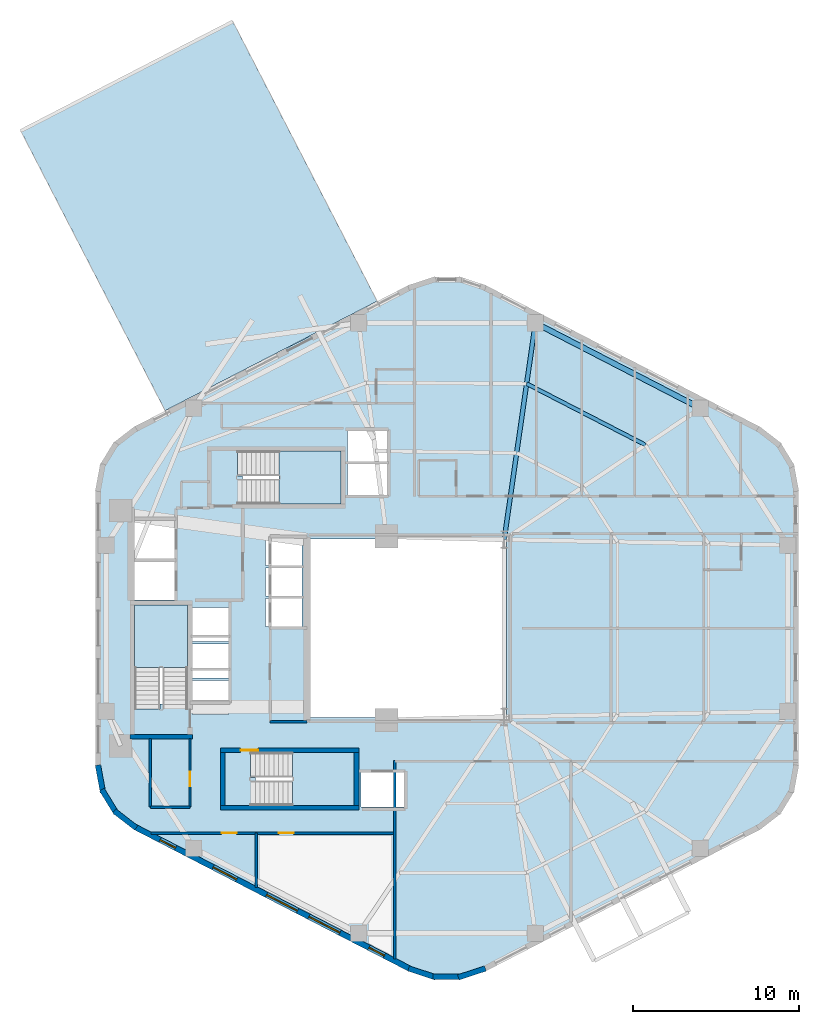
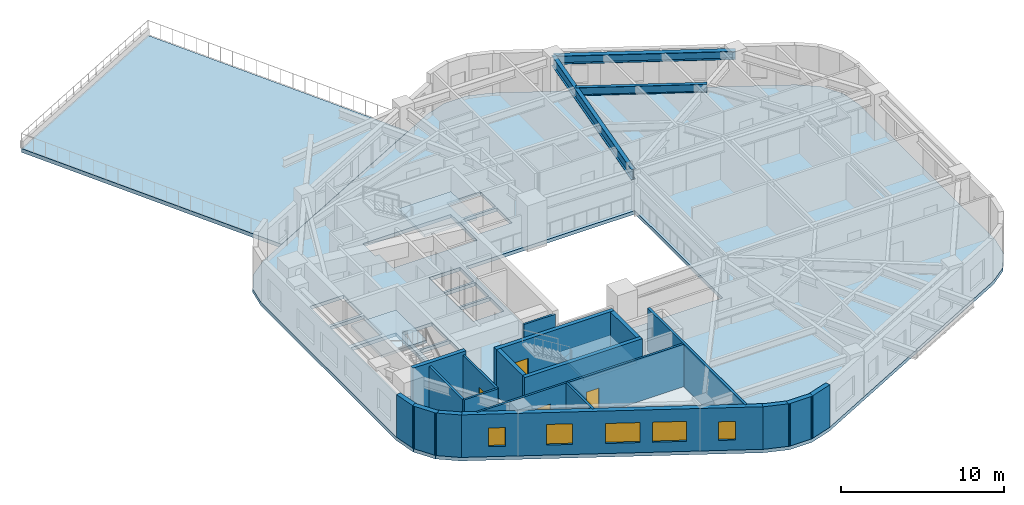
# One storey, part 2 of 8: 19 walls, 5 slabs, 5 windows, 4 doors, 3 beams, 9 openings, 4 elements without a shape of their own.
"""IFC4 building model written with IfcOpenShell, lengths in metres."""

from ifc_helpers import new_model, si_unit, direction, frame, frame_2d, origin, origin_2d, place, context, subcontext, project, spatial, polyline, rectangle, i_section, outline, extrude, material, layer, layer_set, material_profile, profile_set, type_object, element, fill, aggregate, save


model = new_model("IFC4")

# Units and contexts
model_context = context("Model", 3, precision=1e-05, world=origin(), true_north=direction((0.0, 1.0)))
body_context = subcontext(model_context, "Body", "Model", "MODEL_VIEW")
ifc_project = project(units=[si_unit("LENGTHUNIT", "METRE"), si_unit("AREAUNIT", "SQUARE_METRE"), si_unit("VOLUMEUNIT", "CUBIC_METRE"), si_unit("PLANEANGLEUNIT", "RADIAN"), si_unit("MASSUNIT", "GRAM", prefix="KILO"), si_unit("THERMODYNAMICTEMPERATUREUNIT", "KELVIN"), si_unit("POWERUNIT", "WATT")], contexts=[model_context])

# Site, building, storey
site_placement = place(None, origin())
site = spatial("IfcSite", under=ifc_project, at=site_placement, CompositionType="ELEMENT")
building_placement = place(site_placement, origin())
building = spatial("IfcBuilding", under=site, at=building_placement, Name="Skarre Station Tower", CompositionType="ELEMENT")
storey_placement = place(building_placement, frame((0.0, 0.0, 149.85009765625)))
storey = spatial("IfcBuildingStorey", under=building, at=storey_placement, Name="L40", CompositionType="ELEMENT", Elevation=149.85009765625)

# Beams
ifc_material_1 = material(Name="Steel ASTM A992 Grade 50", Category="steel")
ifc_material_profile_1 = material_profile(ifc_material_1, i_section(OverallWidth=0.26806640625, OverallDepth=0.77001953125, WebThickness=0.01611328125, FlangeThickness=0.02490234375, at=origin_2d()), Name="Steel ASTM A992 Grade 50")
ifc_profile_set_1 = profile_set([ifc_material_profile_1], Name="Steel ASTM A992 Grade 50")
beam_type_1 = type_object("IfcBeamType", Name="Steel Beam W30X132", PredefinedType="BEAM", material=ifc_profile_set_1)
beam_1_placement = place(storey_placement, frame((39.449951171875, 29.35009765625, 2.804931640625), z_axis=(0.142480121776, 0.989797663616, 0.0), x_axis=(-0.989797663616, 0.142480121776, 0.0)))
element("IfcBeam", 1, at=beam_1_placement, inside=storey, type_object=beam_type_1, Name="L40 Radial Floor Girder F0C2", PredefinedType="BEAM", context=body_context, shape_type="SweptSolid", body=[
    extrude(i_section(OverallWidth=0.26806640625, OverallDepth=0.77001953125, WebThickness=0.01611328125, FlangeThickness=0.02490234375, at=origin_2d()), origin(), (0.0, 0.0, 1.0), 13.20263671875),
])
ifc_material_profile_2 = material_profile(ifc_material_1, i_section(OverallWidth=0.22802734375, OverallDepth=0.60791015625, WebThickness=0.010986328125, FlangeThickness=0.01708984375, at=origin_2d()), Name="Steel ASTM A992 Grade 50")
ifc_profile_set_2 = profile_set([ifc_material_profile_2], Name="Steel ASTM A992 Grade 50")
beam_type_2 = type_object("IfcBeamType", Name="Steel Joist W24X76", PredefinedType="JOIST", material=ifc_profile_set_2)
beam_2_placement = place(storey_placement, frame((47.97607421875, 35.056884765625, 2.885986328125), z_axis=(-0.888599977053, 0.458682985057, 0.0), x_axis=(-0.458682985057, -0.888599977053, 0.0)))
element("IfcBeam", 2, at=beam_2_placement, inside=storey, type_object=beam_type_2, Name="L40 Secondary Floor Joist 2", PredefinedType="JOIST", context=body_context, shape_type="SweptSolid", body=[
    extrude(i_section(OverallWidth=0.22802734375, OverallDepth=0.60791015625, WebThickness=0.010986328125, FlangeThickness=0.01708984375, at=origin_2d()), origin(), (0.0, 0.0, 1.0), 8.0712890625),
])
ifc_material_profile_3 = material_profile(ifc_material_1, i_section(OverallWidth=0.327880859375, OverallDepth=0.6279296875, WebThickness=0.01708984375, FlangeThickness=0.028076171875, at=origin_2d()), Name="Steel ASTM A992 Grade 50")
ifc_profile_set_3 = profile_set([ifc_material_profile_3], Name="Steel ASTM A992 Grade 50")
beam_type_3 = type_object("IfcBeamType", Name="Steel Spandrel W24X146", PredefinedType="SPANDREL", material=ifc_profile_set_3)
beam_3_placement = place(storey_placement, frame((51.291015625, 37.277099609375, 2.8759765625), z_axis=(-0.888611779493, 0.458660119639, 0.0), x_axis=(-0.458660119639, -0.888611779493, 0.0)))
element("IfcBeam", 3, at=beam_3_placement, inside=storey, type_object=beam_type_3, Name="L40 Facet Spandrel Beam 1", PredefinedType="SPANDREL", context=body_context, shape_type="SweptSolid", body=[
    extrude(i_section(OverallWidth=0.327880859375, OverallDepth=0.6279296875, WebThickness=0.01708984375, FlangeThickness=0.028076171875, at=origin_2d()), origin(), (0.0, 0.0, 1.0), 11.20849609375),
])

# Roof, slab
ifc_material_2 = material(Name="Precast concrete C40/50", Category="concrete")
ifc_layer_1 = layer(ifc_material_2, 0.320068359375, Name="Precast concrete C40/50")
ifc_layer_set_1 = layer_set([ifc_layer_1], Name="Precast concrete C40/50")
roof_type = type_object("IfcRoofType", Name="Insulated Standing-Seam & Inverted Ballasted Roof Assembly", PredefinedType="FLAT_ROOF", material=ifc_layer_set_1)
roof_placement = place(storey_placement, origin())
roof = element("IfcRoof", 4, at=roof_placement, inside=storey, type_object=roof_type, Name="L40 SB-3 Sky-Bar Roof Assembly", PredefinedType="FLAT_ROOF")
ifc_material_3 = material(Name="Concrete C50/60", Category="concrete")
ifc_layer_2 = layer(ifc_material_3, 0.284912109375, Name="Concrete C50/60")
ifc_layer_set_2 = layer_set([ifc_layer_2], Name="Concrete C50/60")
slab_type_1 = type_object("IfcSlabType", Name="Occupied Terrace Roof Deck Slab 285", PredefinedType="ROOF", material=ifc_layer_set_2)
slab_1_placement = place(storey_placement, frame((0.0, 0.0, -0.28515625)))
slab_1 = element("IfcSlab", 5, at=slab_1_placement, type_object=slab_type_1, Name="L40 SB-3 Sky-Bar Roof Terrace Deck", PredefinedType="ROOF", context=body_context, shape_type="SweptSolid", body=[
    extrude(outline(polyline([(18.989013671875, 37.132080078125), (31.783935546875, 43.736083984375), (23.074951171875, 60.611083984375), (10.279052734375, 54.006103515625), (18.989013671875, 37.132080078125)])), origin(), (0.0, 0.0, 1.0), 0.28515625),
])
aggregate(roof, [slab_1])

# Stair, slab
ifc_material_4 = material(Name="Concrete C40/50", Category="concrete")
stair_type_1 = type_object("IfcStairType", Name="Reinforced Concrete Exit Stair ST-1", PredefinedType="HALF_TURN_STAIR", material=ifc_material_4)
stair_1_placement = place(storey_placement, origin())
stair_1 = element("IfcStair", 6, at=stair_1_placement, inside=storey, type_object=stair_type_1, Name="L40 Core Exit Stair ST-1", PredefinedType="HALF_TURN_STAIR")
ifc_layer_3 = layer(ifc_material_4, 0.219970703125, Name="Concrete C40/50")
ifc_layer_set_3 = layer_set([ifc_layer_3], Name="Concrete C40/50")
slab_type_2 = type_object("IfcSlabType", Name="Reinforced Concrete Stair & Ramp Landing 220", PredefinedType="LANDING", material=ifc_layer_set_3)
slab_2_placement = place(storey_placement, frame((0.0, 0.0, 1.52490234375)))
slab_2 = element("IfcSlab", 7, at=slab_2_placement, type_object=slab_type_2, Name="ST-1 landing 1", PredefinedType="LANDING", context=body_context, shape_type="SweptSolid", body=[
    extrude(outline(polyline([(20.35009765625, 21.639892578125), (20.35009765625, 25.39990234375), (17.14990234375, 25.39990234375), (17.14990234375, 21.639892578125), (20.35009765625, 21.639892578125)])), origin(), (0.0, 0.0, 1.0), 0.199951171875),
])
aggregate(stair_1, [slab_2])

stair_type_2 = type_object("IfcStairType", Name="Reinforced Concrete Exit Stair ST-2", PredefinedType="HALF_TURN_STAIR", material=ifc_material_4)
stair_2_placement = place(storey_placement, origin())
stair_2 = element("IfcStair", 8, at=stair_2_placement, inside=storey, type_object=stair_type_2, Name="L40 Core Exit Stair ST-2", PredefinedType="HALF_TURN_STAIR")
slab_3_placement = place(storey_placement, frame((0.0, 0.0, 1.52490234375)))
slab_3 = element("IfcSlab", 9, at=slab_3_placement, type_object=slab_type_2, Name="ST-2 landing 1", PredefinedType="LANDING", context=body_context, shape_type="SweptSolid", body=[
    extrude(outline(polyline([(26.669921875, 13.300048828125), (30.39990234375, 13.300048828125), (30.39990234375, 16.5), (26.669921875, 16.5), (26.669921875, 13.300048828125)])), origin(), (0.0, 0.0, 1.0), 0.199951171875),
])
aggregate(stair_2, [slab_3])

stair_type_3 = type_object("IfcStairType", Name="Reinforced Concrete Exit Stair ST-3", PredefinedType="HALF_TURN_STAIR", material=ifc_material_4)
stair_3_placement = place(storey_placement, origin())
stair_3 = element("IfcStair", 10, at=stair_3_placement, inside=storey, type_object=stair_type_3, Name="L40 Core Exit Stair ST-3", PredefinedType="HALF_TURN_STAIR")
slab_4_placement = place(storey_placement, frame((0.0, 0.0, 1.52490234375)))
slab_4 = element("IfcSlab", 11, at=slab_4_placement, type_object=slab_type_2, Name="ST-3 landing 1", PredefinedType="LANDING", context=body_context, shape_type="SweptSolid", body=[
    extrude(outline(polyline([(25.8701171875, 31.5), (29.60009765625, 31.5), (29.60009765625, 34.699951171875), (25.8701171875, 34.699951171875), (25.8701171875, 31.5)])), origin(), (0.0, 0.0, 1.0), 0.199951171875),
])
aggregate(stair_3, [slab_4])

# Slab
ifc_layer_4 = layer(ifc_material_3, 0.260009765625, Name="Concrete C50/60")
ifc_layer_set_4 = layer_set([ifc_layer_4], Name="Concrete C50/60")
slab_type_3 = type_object("IfcSlabType", Name="Tower Typical Composite Floor Slab 260", PredefinedType="FLOOR", material=ifc_layer_set_4)
slab_5_placement = place(storey_placement, frame((0.0, 0.0, -0.260009765625)))
element("IfcSlab", 12, at=slab_5_placement, inside=storey, type_object=slab_type_3, Name="L40 Zone 2 Structural Floor Slab", PredefinedType="FLOOR", context=body_context, shape_type="SweptSolid", body=[
    extrude(outline(polyline([(57.218017578125, 32.35205078125), (56.93701171875, 33.873046875), (56.132080078125, 35.194091796875), (54.908935546875, 36.14111328125), (38.30908203125, 44.708984375), (36.7958984375, 45.2060546875), (35.2041015625, 45.2060546875), (33.69091796875, 44.708984375), (17.091064453125, 36.14111328125), (15.867919921875, 35.194091796875), (15.06298828125, 33.873046875), (14.781982421875, 32.35205078125), (14.781982421875, 15.64794921875), (15.06298828125, 14.126953125), (15.867919921875, 12.805908203125), (17.091064453125, 11.85888671875), (33.69091796875, 3.291015625), (35.2041015625, 2.7939453125), (36.7958984375, 2.7939453125), (38.30908203125, 3.291015625), (54.908935546875, 11.85888671875), (56.132080078125, 12.805908203125), (56.93701171875, 14.126953125), (57.218017578125, 15.64794921875), (57.218017578125, 32.35205078125)]), holes=[polyline([(18.669921875, 19.419921875), (18.669921875, 19.123046875), (17.14990234375, 19.123046875), (17.14990234375, 25.39990234375), (20.35009765625, 25.39990234375), (20.35009765625, 19.419921875), (18.669921875, 19.419921875)]), polyline([(24.449951171875, 14.97998046875), (24.153076171875, 14.97998046875), (24.153076171875, 16.5), (30.39990234375, 16.5), (30.39990234375, 13.300048828125), (24.449951171875, 13.300048828125), (24.449951171875, 14.97998046875)]), polyline([(23.64990234375, 33.179931640625), (23.35302734375, 33.179931640625), (23.35302734375, 34.699951171875), (29.60009765625, 34.699951171875), (29.60009765625, 31.5), (23.64990234375, 31.5), (23.64990234375, 33.179931640625)]), polyline([(17.14990234375, 28.0), (19.550048828125, 28.0), (19.550048828125, 25.699951171875), (17.14990234375, 25.699951171875), (17.14990234375, 28.0)]), polyline([(17.14990234375, 30.5), (19.550048828125, 30.5), (19.550048828125, 28.199951171875), (17.14990234375, 28.199951171875), (17.14990234375, 30.5)]), polyline([(30.800048828125, 15.300048828125), (33.39990234375, 15.300048828125), (33.39990234375, 13.199951171875), (30.800048828125, 13.199951171875), (30.800048828125, 15.300048828125)]), polyline([(25.050048828125, 25.800048828125), (27.25, 25.800048828125), (27.25, 24.10009765625), (25.050048828125, 24.10009765625), (25.050048828125, 25.800048828125)]), polyline([(25.050048828125, 27.64990234375), (27.25, 27.64990234375), (27.25, 25.949951171875), (25.050048828125, 25.949951171875), (25.050048828125, 27.64990234375)]), polyline([(25.050048828125, 29.5), (27.25, 29.5), (27.25, 27.800048828125), (25.050048828125, 27.800048828125), (25.050048828125, 29.5)]), polyline([(20.64990234375, 20.85009765625), (22.800048828125, 20.85009765625), (22.800048828125, 18.800048828125), (20.64990234375, 18.800048828125), (20.64990234375, 20.85009765625)]), polyline([(20.64990234375, 23.050048828125), (22.800048828125, 23.050048828125), (22.800048828125, 21.0), (20.64990234375, 21.0), (20.64990234375, 23.050048828125)]), polyline([(20.64990234375, 25.25), (22.800048828125, 25.25), (22.800048828125, 23.199951171875), (20.64990234375, 23.199951171875), (20.64990234375, 25.25)]), polyline([(30.0, 33.89990234375), (32.39990234375, 33.89990234375), (32.39990234375, 32.050048828125), (30.0, 32.050048828125), (30.0, 33.89990234375)]), polyline([(30.0, 35.89990234375), (32.39990234375, 35.89990234375), (32.39990234375, 34.050048828125), (30.0, 34.050048828125), (30.0, 35.89990234375)]), polyline([(27.60009765625, 29.39990234375), (39.60009765625, 29.39990234375), (39.60009765625, 18.60009765625), (27.60009765625, 18.60009765625), (27.60009765625, 29.39990234375)])]), origin(), (0.0, 0.0, 1.0), 0.260009765625),
])

# Walls
ifc_material_5 = material(Name="Acoustic Steel-Stud Gypsum Partition", Category="steel")
ifc_layer_5 = layer(ifc_material_5, 0.14990234375, Name="Acoustic Steel-Stud Gypsum Partition")
ifc_layer_set_5 = layer_set([ifc_layer_5], Name="Acoustic Steel-Stud Gypsum Partition")
wall_type_1 = type_object("IfcWallType", Name="Fire-Rated Corridor Acoustic Partition 150", PredefinedType="PARTITIONING", material=ifc_layer_set_5)
wall_1_placement = place(storey_placement, frame((25.320068359375, 18.360107421875, 0.0), z_axis=(0.0, 0.0, 1.0), x_axis=(1.0, 0.0, 0.0)))
element("IfcWall", 13, at=wall_1_placement, inside=storey, type_object=wall_type_1, Name="L40 Interior Partition WL-PT-L40-RC1-S", PredefinedType="PARTITIONING", context=body_context, shape_type="SweptSolid", body=[
    extrude(rectangle(XDim=2.22998046875, YDim=0.14990234375, at=frame_2d((1.114990234375, 0.0))), origin(), (0.0, 0.0, 1.0), 3.18994140625),
])
wall_2_placement = place(storey_placement, frame((18.10009765625, 17.340087890625, 0.0), z_axis=(0.0, 0.0, 1.0), x_axis=(0.0, -1.0, 0.0)))
element("IfcWall", 14, at=wall_2_placement, inside=storey, type_object=wall_type_1, Name="L40 Interior Partition WL-PT-L40-CSVC-W", PredefinedType="PARTITIONING", context=body_context, shape_type="SweptSolid", body=[
    extrude(rectangle(XDim=4.14013671875, YDim=0.14990234375, at=frame_2d((2.070068359375, 0.0))), origin(), (0.0, 0.0, 1.0), 3.18994140625),
])
wall_3_placement = place(storey_placement, frame((18.10009765625, 13.199951171875, 0.0), z_axis=(0.0, 0.0, 1.0), x_axis=(1.0, 0.0, 0.0)))
element("IfcWall", 15, at=wall_3_placement, inside=storey, type_object=wall_type_1, Name="L40 Interior Partition WL-PT-L40-CSVC-S", PredefinedType="PARTITIONING", context=body_context, shape_type="SweptSolid", body=[
    extrude(rectangle(XDim=2.389892578125, YDim=0.14990234375, at=frame_2d((1.19482421875, 0.0))), origin(), (0.0, 0.0, 1.0), 3.18994140625),
])

# Wall, opening, door
wall_4_placement = place(storey_placement, frame((20.489990234375, 13.199951171875, 0.0), z_axis=(0.0, 0.0, 1.0), x_axis=(0.0, 1.0, 0.0)))
wall_4 = element("IfcWall", 16, at=wall_4_placement, inside=storey, type_object=wall_type_1, Name="L40 Interior Partition WL-PT-L40-CSVC-E", PredefinedType="PARTITIONING", context=body_context, shape_type="SweptSolid", body=[
    extrude(rectangle(XDim=4.14013671875, YDim=0.14990234375, at=frame_2d((2.070068359375, 0.0))), origin(), (0.0, 0.0, 1.0), 3.18994140625),
])
opening_1_placement = place(wall_4_placement, frame((1.25, 0.0, 0.0)))
opening_1 = element("IfcOpeningElement", 17, at=opening_1_placement, cuts=wall_4, Name="Opening DR-SVC90", PredefinedType="OPENING", context=body_context, shape_type="SweptSolid", body=[
    extrude(rectangle(XDim=0.89990234375, YDim=2.0, at=frame_2d((0.449951171875, 1.0))), frame((0.0, 0.0849609375, 0.0), z_axis=(0.0, -1.0, 0.0), x_axis=(1.0, 0.0, 0.0)), (0.0, 0.0, 1.0), 0.169921875),
])
ifc_material_6 = material(Name="Powder-Coated Hollow-Metal Acoustic Fire Leaf", Category="steel")
door_type_1 = type_object("IfcDoorType", Name="Service & Riser Fire Door FD60 900x2100", OperationType="SINGLE_SWING_LEFT", PredefinedType="DOOR", material=ifc_material_6)
door_1_placement = place(opening_1_placement, origin())
door_1 = element("IfcDoor", 18, at=door_1_placement, inside=storey, type_object=door_type_1, Name="L40 Core Pantry Door", OperationType="SINGLE_SWING_LEFT", OverallHeight=2.0, OverallWidth=0.89990234375, PredefinedType="DOOR", context=body_context, shape_type="SweptSolid", body=[
    extrude(rectangle(XDim=0.89990234375, YDim=2.0, at=frame_2d((0.449951171875, 1.0))), frame((0.0, 0.02490234375, 0.0), z_axis=(0.0, -1.0, 0.0), x_axis=(1.0, 0.0, 0.0)), (0.0, 0.0, 1.0), 0.050048828125),
])
fill(opening_1, door_1)

# Wall
wall_5_placement = place(storey_placement, frame((24.5, 8.35009765625, 0.0), z_axis=(0.0, 0.0, 1.0), x_axis=(0.0, 1.0, 0.0)))
element("IfcWall", 19, at=wall_5_placement, inside=storey, type_object=wall_type_1, Name="L40 Interior Partition WL-PT-L40-SWP-M", PredefinedType="PARTITIONING", context=body_context, shape_type="SweptSolid", body=[
    extrude(rectangle(XDim=3.289794921875, YDim=0.14990234375, at=frame_2d((1.64501953125, 0.0))), origin(), (0.0, 0.0, 1.0), 3.18994140625),
])

# Wall, openings, doors
wall_6_placement = place(storey_placement, frame((18.1259765625, 11.639892578125, 0.0), z_axis=(0.0, 0.0, 1.0), x_axis=(1.0, 0.0, 0.0)))
wall_6 = element("IfcWall", 20, at=wall_6_placement, inside=storey, type_object=wall_type_1, Name="L40 Interior Partition WL-PT-L40-SWP-N", PredefinedType="PARTITIONING", context=body_context, shape_type="SweptSolid", body=[
    extrude(rectangle(XDim=14.72412109375, YDim=0.14990234375, at=frame_2d((7.362060546875, 0.0))), origin(), (0.0, 0.0, 1.0), 3.18994140625),
])
opening_2_placement = place(wall_6_placement, frame((4.27392578125, 0.0, 0.0)))
opening_2 = element("IfcOpeningElement", 21, at=opening_2_placement, cuts=wall_6, Name="Opening DR-SVC90", PredefinedType="OPENING", context=body_context, shape_type="SweptSolid", body=[
    extrude(rectangle(XDim=0.89990234375, YDim=2.0, at=frame_2d((0.449951171875, 1.0))), frame((0.0, 0.0849609375, 0.0), z_axis=(0.0, -1.0, 0.0), x_axis=(1.0, 0.0, 0.0)), (0.0, 0.0, 1.0), 0.169921875),
])
opening_3_placement = place(wall_6_placement, frame((7.72412109375, 0.0, 0.0)))
opening_3 = element("IfcOpeningElement", 22, at=opening_3_placement, cuts=wall_6, Name="Opening DR-SVC90", PredefinedType="OPENING", context=body_context, shape_type="SweptSolid", body=[
    extrude(rectangle(XDim=0.89990234375, YDim=2.0, at=frame_2d((0.449951171875, 1.0))), frame((0.0, 0.0849609375, 0.0), z_axis=(0.0, -1.0, 0.0), x_axis=(1.0, 0.0, 0.0)), (0.0, 0.0, 1.0), 0.169921875),
])
door_2_placement = place(opening_2_placement, origin())
door_2 = element("IfcDoor", 23, at=door_2_placement, inside=storey, type_object=door_type_1, Name="L40 Floor Public Toilets Door", OperationType="SINGLE_SWING_LEFT", OverallHeight=2.0, OverallWidth=0.89990234375, PredefinedType="DOOR", context=body_context, shape_type="SweptSolid", body=[
    extrude(rectangle(XDim=0.89990234375, YDim=2.0, at=frame_2d((0.449951171875, 1.0))), frame((0.0, 0.02490234375, 0.0), z_axis=(0.0, -1.0, 0.0), x_axis=(1.0, 0.0, 0.0)), (0.0, 0.0, 1.0), 0.050048828125),
])
fill(opening_2, door_2)
door_3_placement = place(opening_3_placement, origin())
door_3 = element("IfcDoor", 24, at=door_3_placement, inside=storey, type_object=door_type_1, Name="L40 Housekeeping Room Door", OperationType="SINGLE_SWING_LEFT", OverallHeight=2.0, OverallWidth=0.89990234375, PredefinedType="DOOR", context=body_context, shape_type="SweptSolid", body=[
    extrude(rectangle(XDim=0.89990234375, YDim=2.0, at=frame_2d((0.449951171875, 1.0))), frame((0.0, 0.02490234375, 0.0), z_axis=(0.0, -1.0, 0.0), x_axis=(1.0, 0.0, 0.0)), (0.0, 0.0, 1.0), 0.050048828125),
])
fill(opening_3, door_3)

# Wall, openings, windows
ifc_material_7 = material(Name="Precast concrete C45/55", Category="concrete")
ifc_layer_6 = layer(ifc_material_7, 0.340087890625, Name="Precast concrete C45/55")
ifc_layer_set_6 = layer_set([ifc_layer_6], Name="Precast concrete C45/55")
wall_type_2 = type_object("IfcWallType", Name="Nordic Honed Precast Facet Wall 340", PredefinedType="STANDARD", material=ifc_layer_set_6)
wall_7_placement = place(storey_placement, frame((33.76904296875, 3.44189453125, 0.0), z_axis=(0.0, 0.0, 1.0), x_axis=(-0.888613612362, 0.458656568606, 0.0)))
wall_7 = element("IfcWall", 25, at=wall_7_placement, inside=storey, type_object=wall_type_2, Name="L40 Facet 3 Nordic Precast Masonry Wall", PredefinedType="STANDARD", context=body_context, shape_type="SweptSolid", body=[
    extrude(rectangle(XDim=18.680908203125, YDim=0.340087890625, at=frame_2d((9.34033203125, 0.0))), origin(), (0.0, 0.0, 1.0), 3.18994140625),
])
opening_4_placement = place(wall_7_placement, frame((1.75, 0.0, 0.75)))
opening_4 = element("IfcOpeningElement", 26, at=opening_4_placement, cuts=wall_7, Name="Opening WN-SLT", PredefinedType="OPENING", context=body_context, shape_type="SweptSolid", body=[
    extrude(rectangle(XDim=1.050048828125, YDim=1.39990234375, at=frame_2d((0.52490234375, 0.699951171875))), frame((0.0, 0.179931640625, 0.0), z_axis=(0.0, -1.0, 0.0), x_axis=(1.0, 0.0, 0.0)), (0.0, 0.0, 1.0), 0.360107421875),
])
opening_5_placement = place(wall_7_placement, frame((4.764892578125, 0.0, 0.75)))
opening_5 = element("IfcOpeningElement", 27, at=opening_5_placement, cuts=wall_7, Name="Opening WN-Z2B", PredefinedType="OPENING", context=body_context, shape_type="SweptSolid", body=[
    extrude(rectangle(XDim=2.10009765625, YDim=1.5, at=frame_2d((1.050048828125, 0.75))), frame((0.0, 0.179931640625, 0.0), z_axis=(0.0, -1.0, 0.0), x_axis=(1.0, 0.0, 0.0)), (0.0, 0.0, 1.0), 0.360107421875),
])
opening_6_placement = place(wall_7_placement, frame((7.64404296875, 0.0, 0.75)))
opening_6 = element("IfcOpeningElement", 28, at=opening_6_placement, cuts=wall_7, Name="Opening WN-Z2B", PredefinedType="OPENING", context=body_context, shape_type="SweptSolid", body=[
    extrude(rectangle(XDim=2.10009765625, YDim=1.5, at=frame_2d((1.050048828125, 0.75))), frame((0.0, 0.179931640625, 0.0), z_axis=(0.0, -1.0, 0.0), x_axis=(1.0, 0.0, 0.0)), (0.0, 0.0, 1.0), 0.360107421875),
])
opening_7_placement = place(wall_7_placement, frame((11.77392578125, 0.0, 0.75)))
opening_7 = element("IfcOpeningElement", 29, at=opening_7_placement, cuts=wall_7, Name="Opening WN-Z2A", PredefinedType="OPENING", context=body_context, shape_type="SweptSolid", body=[
    extrude(rectangle(XDim=1.60009765625, YDim=1.550048828125, at=frame_2d((0.800048828125, 0.77490234375))), frame((0.0, 0.179931640625, 0.0), z_axis=(0.0, -1.0, 0.0), x_axis=(1.0, 0.0, 0.0)), (0.0, 0.0, 1.0), 0.360107421875),
])
opening_8_placement = place(wall_7_placement, frame((15.919921875, 0.0, 0.75)))
opening_8 = element("IfcOpeningElement", 30, at=opening_8_placement, cuts=wall_7, Name="Opening WN-SLT", PredefinedType="OPENING", context=body_context, shape_type="SweptSolid", body=[
    extrude(rectangle(XDim=1.050048828125, YDim=1.39990234375, at=frame_2d((0.52490234375, 0.699951171875))), frame((0.0, 0.179931640625, 0.0), z_axis=(0.0, -1.0, 0.0), x_axis=(1.0, 0.0, 0.0)), (0.0, 0.0, 1.0), 0.360107421875),
])
ifc_material_8 = material(Name="Low-Iron Triple Glazing with Bronze Anodized Frame", Category="glass")
window_type_1 = type_object("IfcWindowType", Name="Nordic Corner Slot Window 1050x1400", PartitioningType="SINGLE_PANEL", PredefinedType="WINDOW", material=ifc_material_8)
window_1_placement = place(opening_4_placement, origin())
window_1 = element("IfcWindow", 31, at=window_1_placement, inside=storey, type_object=window_type_1, Name="L40 Facade Window WL-FAC-L40-F3-1", OverallHeight=1.39990234375, OverallWidth=1.050048828125, PartitioningType="SINGLE_PANEL", PredefinedType="WINDOW", context=body_context, shape_type="SweptSolid", body=[
    extrude(rectangle(XDim=1.050048828125, YDim=1.39990234375, at=frame_2d((0.52490234375, 0.699951171875))), frame((0.0, 0.030029296875, 0.0), z_axis=(0.0, -1.0, 0.0), x_axis=(1.0, 0.0, 0.0)), (0.0, 0.0, 1.0), 0.06005859375),
])
fill(opening_4, window_1)
window_2_placement = place(opening_8_placement, origin())
window_2 = element("IfcWindow", 32, at=window_2_placement, inside=storey, type_object=window_type_1, Name="L40 Facade Window WL-FAC-L40-F3-5", OverallHeight=1.39990234375, OverallWidth=1.050048828125, PartitioningType="SINGLE_PANEL", PredefinedType="WINDOW", context=body_context, shape_type="SweptSolid", body=[
    extrude(rectangle(XDim=1.050048828125, YDim=1.39990234375, at=frame_2d((0.52490234375, 0.699951171875))), frame((0.0, 0.030029296875, 0.0), z_axis=(0.0, -1.0, 0.0), x_axis=(1.0, 0.0, 0.0)), (0.0, 0.0, 1.0), 0.06005859375),
])
fill(opening_8, window_2)
window_type_2 = type_object("IfcWindowType", Name="Nordic Residential Tall Window 1600x1550", PartitioningType="SINGLE_PANEL", PredefinedType="WINDOW", material=ifc_material_8)
window_3_placement = place(opening_7_placement, origin())
window_3 = element("IfcWindow", 33, at=window_3_placement, inside=storey, type_object=window_type_2, Name="L40 Facade Window WL-FAC-L40-F3-4", OverallHeight=1.550048828125, OverallWidth=1.60009765625, PartitioningType="SINGLE_PANEL", PredefinedType="WINDOW", context=body_context, shape_type="SweptSolid", body=[
    extrude(rectangle(XDim=1.60009765625, YDim=1.550048828125, at=frame_2d((0.800048828125, 0.77490234375))), frame((0.0, 0.030029296875, 0.0), z_axis=(0.0, -1.0, 0.0), x_axis=(1.0, 0.0, 0.0)), (0.0, 0.0, 1.0), 0.06005859375),
])
fill(opening_7, window_3)
window_type_3 = type_object("IfcWindowType", Name="Nordic Residential Twin Window 2100x1500", PartitioningType="SINGLE_PANEL", PredefinedType="WINDOW", material=ifc_material_8)
window_4_placement = place(opening_5_placement, origin())
window_4 = element("IfcWindow", 34, at=window_4_placement, inside=storey, type_object=window_type_3, Name="L40 Facade Window WL-FAC-L40-F3-2", OverallHeight=1.5, OverallWidth=2.10009765625, PartitioningType="SINGLE_PANEL", PredefinedType="WINDOW", context=body_context, shape_type="SweptSolid", body=[
    extrude(rectangle(XDim=2.10009765625, YDim=1.5, at=frame_2d((1.050048828125, 0.75))), frame((0.0, 0.030029296875, 0.0), z_axis=(0.0, -1.0, 0.0), x_axis=(1.0, 0.0, 0.0)), (0.0, 0.0, 1.0), 0.06005859375),
])
fill(opening_5, window_4)
window_5_placement = place(opening_6_placement, origin())
window_5 = element("IfcWindow", 35, at=window_5_placement, inside=storey, type_object=window_type_3, Name="L40 Facade Window WL-FAC-L40-F3-3", OverallHeight=1.5, OverallWidth=2.10009765625, PartitioningType="SINGLE_PANEL", PredefinedType="WINDOW", context=body_context, shape_type="SweptSolid", body=[
    extrude(rectangle(XDim=2.10009765625, YDim=1.5, at=frame_2d((1.050048828125, 0.75))), frame((0.0, 0.030029296875, 0.0), z_axis=(0.0, -1.0, 0.0), x_axis=(1.0, 0.0, 0.0)), (0.0, 0.0, 1.0), 0.06005859375),
])
fill(opening_6, window_5)

# Walls
ifc_layer_7 = layer(ifc_material_7, 0.330078125, Name="Precast concrete C45/55")
ifc_layer_set_7 = layer_set([ifc_layer_7], Name="Precast concrete C45/55")
wall_type_3 = type_object("IfcWallType", Name="Nordic Rounded Corner Precast Wall 330", PredefinedType="STANDARD", material=ifc_layer_set_7)
wall_8_placement = place(storey_placement, frame((17.242919921875, 11.949951171875, 0.0), z_axis=(0.0, 0.0, 1.0), x_axis=(-0.790621329885, 0.612305408053, 0.0)))
element("IfcWall", 36, at=wall_8_placement, inside=storey, type_object=wall_type_3, Name="L40 Rounded Corner Precast Wall F3-1", PredefinedType="STANDARD", context=body_context, shape_type="SweptSolid", body=[
    extrude(rectangle(XDim=1.67578125, YDim=0.330078125, at=frame_2d((0.837890625, 0.0))), origin(), (0.0, 0.0, 1.0), 3.18994140625),
])
wall_9_placement = place(storey_placement, frame((16.04296875, 12.8359375, 0.0), z_axis=(0.0, 0.0, 1.0), x_axis=(-0.520519429557, 0.853849824883, 0.0)))
element("IfcWall", 37, at=wall_9_placement, inside=storey, type_object=wall_type_3, Name="L40 Rounded Corner Precast Wall F3-2", PredefinedType="STANDARD", context=body_context, shape_type="SweptSolid", body=[
    extrude(rectangle(XDim=1.67724609375, YDim=0.330078125, at=frame_2d((0.838623046875, 0.0))), origin(), (0.0, 0.0, 1.0), 3.18994140625),
])
wall_10_placement = place(storey_placement, frame((15.237060546875, 14.093017578125, 0.0), z_axis=(0.0, 0.0, 1.0), x_axis=(-0.181984991895, 0.983301308209, 0.0)))
element("IfcWall", 38, at=wall_10_placement, inside=storey, type_object=wall_type_3, Name="L40 Rounded Corner Precast Wall F3-3", PredefinedType="STANDARD", context=body_context, shape_type="SweptSolid", body=[
    extrude(rectangle(XDim=1.677001953125, YDim=0.330078125, at=frame_2d((0.83837890625, 0.0))), origin(), (0.0, 0.0, 1.0), 3.18994140625),
])
for number, where, z_axis, x_axis, name in (
    (39, (38.319091796875, 3.468017578125, 0.0), (0.0, 0.0, 1.0), (-0.949937416267, -0.312440242569, 0.0), "L40 Rounded Corner Precast Wall F4-1"),
    (40, (36.861083984375, 2.958984375, 0.0), (0.0, 0.0, 1.0), (-1.0, 0.0, 0.0), "L40 Rounded Corner Precast Wall F4-2"),
    (41, (35.31689453125, 2.929931640625, 0.0), (0.0, 0.0, 1.0), (-0.949937416267, 0.312440242569, 0.0), "L40 Rounded Corner Precast Wall F4-3"),
):
    element("IfcWall", number, at=place(storey_placement, frame(where, z_axis=z_axis, x_axis=x_axis)), inside=storey, type_object=wall_type_3, Name=name, PredefinedType="STANDARD", context=body_context, shape_type="SweptSolid", body=[
        extrude(rectangle(XDim=1.72216796875, YDim=0.330078125, at=frame_2d((0.861083984375, 0.0))), origin(), (0.0, 0.0, 1.0), 3.18994140625),
    ])
ifc_layer_8 = layer(ifc_material_3, 0.280029296875, Name="Concrete C50/60")
ifc_layer_set_8 = layer_set([ifc_layer_8], Name="Concrete C50/60")
wall_type_4 = type_object("IfcWallType", Name="RC Core Shear Wall 280", PredefinedType="SHEAR", material=ifc_layer_set_8)
wall_11_placement = place(storey_placement, frame((16.8701171875, 17.4599609375, 0.0), z_axis=(0.0, 0.0, 1.0), x_axis=(1.0, 0.0, 0.0)))
element("IfcWall", 42, at=wall_11_placement, inside=storey, type_object=wall_type_4, Name="L40 Stair ST-1 South Shear Wall", PredefinedType="SHEAR", context=body_context, shape_type="SweptSolid", body=[
    extrude(rectangle(XDim=3.759765625, YDim=0.280029296875, at=frame_2d((1.8798828125, 0.0))), origin(), (0.0, 0.0, 1.0), 3.449951171875),
])
wall_12_placement = place(storey_placement, frame((22.320068359375, 13.159912109375, 0.0), z_axis=(0.0, 0.0, 1.0), x_axis=(1.0, 0.0, 0.0)))
element("IfcWall", 43, at=wall_12_placement, inside=storey, type_object=wall_type_4, Name="L40 Stair ST-2 South Shear Wall", PredefinedType="SHEAR", context=body_context, shape_type="SweptSolid", body=[
    extrude(rectangle(XDim=8.35986328125, YDim=0.280029296875, at=frame_2d((4.179931640625, 0.0))), origin(), (0.0, 0.0, 1.0), 3.449951171875),
])

# Wall, opening, door
wall_13_placement = place(storey_placement, frame((30.679931640625, 16.639892578125, 0.0), z_axis=(0.0, 0.0, 1.0), x_axis=(-1.0, 0.0, 0.0)))
wall_13 = element("IfcWall", 44, at=wall_13_placement, inside=storey, type_object=wall_type_4, Name="L40 Stair ST-2 North Shear Wall", PredefinedType="SHEAR", context=body_context, shape_type="SweptSolid", body=[
    extrude(rectangle(XDim=8.35986328125, YDim=0.280029296875, at=frame_2d((4.179931640625, 0.0))), origin(), (0.0, 0.0, 1.0), 3.449951171875),
])
opening_9_placement = place(wall_13_placement, frame((6.080078125, 0.0, 0.0)))
opening_9 = element("IfcOpeningElement", 45, at=opening_9_placement, cuts=wall_13, Name="Opening DR-FD90", PredefinedType="OPENING", context=body_context, shape_type="SweptSolid", body=[
    extrude(rectangle(XDim=1.050048828125, YDim=2.0, at=frame_2d((0.52490234375, 1.0))), frame((0.0, 0.14990234375, 0.0), z_axis=(0.0, -1.0, 0.0), x_axis=(1.0, 0.0, 0.0)), (0.0, 0.0, 1.0), 0.300048828125),
])
ifc_material_9 = material(Name="Fire-Rated Insulated Steel Frame & Timber Core Leaf", Category="steel")
door_type_2 = type_object("IfcDoorType", Name="Stair & FSAE Lobby Fire Door FD90 1050x2150", OperationType="SINGLE_SWING_RIGHT", PredefinedType="DOOR", material=ifc_material_9)
door_4_placement = place(opening_9_placement, origin())
door_4 = element("IfcDoor", 46, at=door_4_placement, inside=storey, type_object=door_type_2, Name="L40 Stair ST-2 Exit Door", OperationType="SINGLE_SWING_RIGHT", OverallHeight=2.0, OverallWidth=1.050048828125, PredefinedType="DOOR", context=body_context, shape_type="SweptSolid", body=[
    extrude(rectangle(XDim=1.050048828125, YDim=2.0, at=frame_2d((0.52490234375, 1.0))), frame((0.0, 0.02490234375, 0.0), z_axis=(0.0, -1.0, 0.0), x_axis=(1.0, 0.0, 0.0)), (0.0, 0.0, 1.0), 0.050048828125),
])
fill(opening_9, door_4)

# Walls
for number, where, z_axis, x_axis, name in (
    (47, (22.4599609375, 16.5, 0.0), (0.0, 0.0, 1.0), (0.0, -1.0, 0.0), "L40 Stair ST-2 West Shear Wall"),
    (48, (30.5400390625, 13.300048828125, 0.0), (0.0, 0.0, 1.0), (0.0, 1.0, 0.0), "L40 Stair ST-2 East Shear Wall"),
):
    element("IfcWall", number, at=place(storey_placement, frame(where, z_axis=z_axis, x_axis=x_axis)), inside=storey, type_object=wall_type_4, Name=name, PredefinedType="SHEAR", context=body_context, shape_type="SweptSolid", body=[
        extrude(rectangle(XDim=3.199951171875, YDim=0.280029296875, at=frame_2d((1.60009765625, 0.0))), origin(), (0.0, 0.0, 1.0), 3.449951171875),
    ])
ifc_layer_9 = layer(ifc_material_5, 0.1650390625, Name="Acoustic Steel-Stud Gypsum Partition")
ifc_layer_set_9 = layer_set([ifc_layer_9], Name="Acoustic Steel-Stud Gypsum Partition")
wall_type_5 = type_object("IfcWallType", Name="Suite Demising Acoustic Partition 165", PredefinedType="PARTITIONING", material=ifc_layer_set_9)
wall_14_placement = place(storey_placement, frame((32.85009765625, 4.0400390625, 0.0), z_axis=(0.0, 0.0, 1.0), x_axis=(0.0, 1.0, 0.0)))
element("IfcWall", 49, at=wall_14_placement, inside=storey, type_object=wall_type_5, Name="L40 Interior Partition WL-PT-L40-SWP-E", PredefinedType="PARTITIONING", context=body_context, shape_type="SweptSolid", body=[
    extrude(rectangle(XDim=11.989990234375, YDim=0.1650390625, at=frame_2d((5.9951171875, 0.0))), origin(), (0.0, 0.0, 1.0), 3.18994140625),
])

save(model, "model.ifc")
